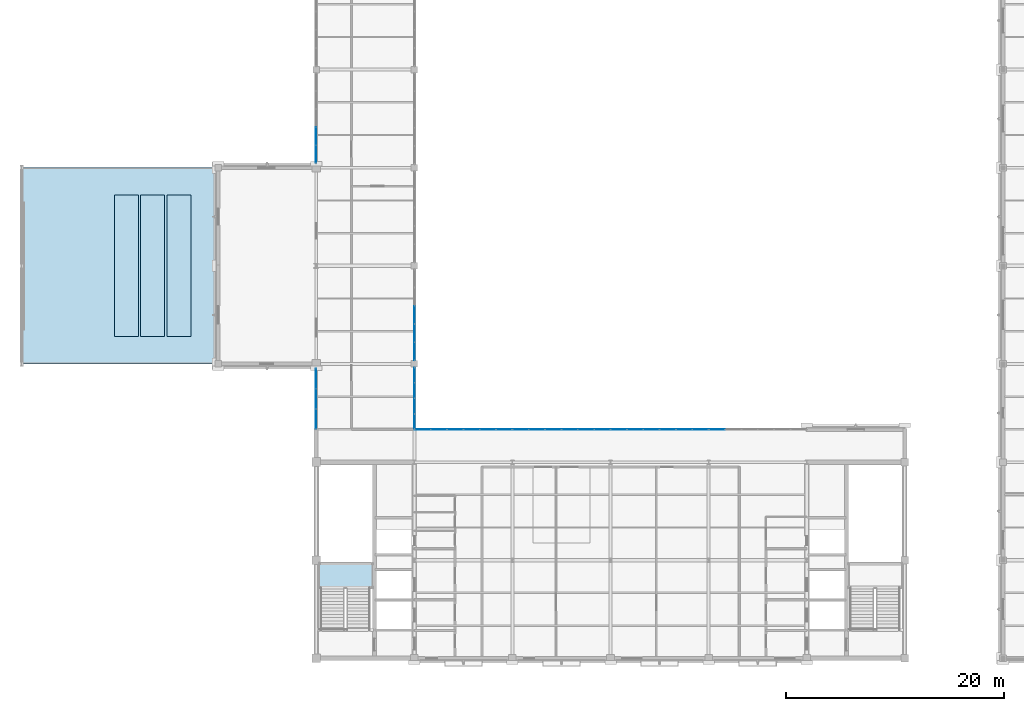
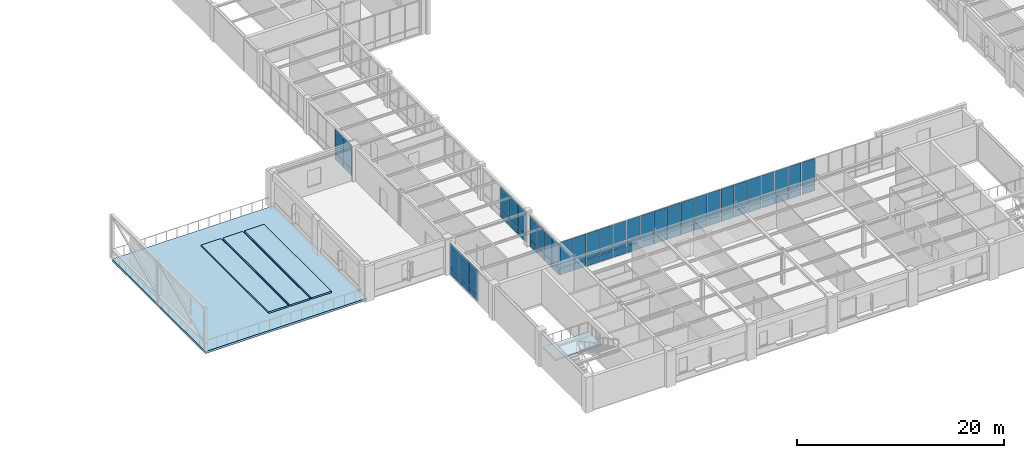
# One storey, part 72 of 97: 62 plates, 5 slabs, 9 elements without a shape of their own.
"""IFC4 building model written with IfcOpenShell, lengths in metres."""

import ifcopenshell
import ifcopenshell.guid

model = None  # the IFC model being written
_history = None  # IfcOwnerHistory: only IFC2X3 demands one
_inside = {}  # id of a spatial element -> (the spatial element, [elements in it])
_under = {}  # id of a project, library or spatial element -> (it, [spatial elements below it])
_declared = {}  # id of a project -> (the project, [libraries it declares])
_typed = {}  # id of a type object -> (the type object, [elements of that type])
_made_of = {}  # id of a material, layer set ... -> (it, [elements and type objects made of it])


def new_model(schema):
    """Start an empty IFC model of exactly this schema.

    Asked for "IFC4X3", IfcOpenShell would pick the latest addendum, in which some entities
    have other attributes; the version numbers below select the first issue.
    IFC2X3 requires an IfcOwnerHistory on every rooted entity: one is made here for all.
    """
    global model, _history
    if schema == "IFC4X3":
        model = ifcopenshell.file(schema_version=(4, 3, 0, 0))
    else:
        model = ifcopenshell.file(schema=schema)
    _inside.clear()
    _under.clear()
    _declared.clear()
    _typed.clear()
    _made_of.clear()
    _history = None
    if model.schema == "IFC2X3":
        org = make("IfcOrganization", Name="unknown")
        user = make(
            "IfcPersonAndOrganization",
            ThePerson=make("IfcPerson", FamilyName="unknown"),
            TheOrganization=org,
        )
        app = make(
            "IfcApplication",
            ApplicationDeveloper=org,
            Version="unknown",
            ApplicationFullName="unknown",
            ApplicationIdentifier="unknown",
        )
        _history = make(
            "IfcOwnerHistory",
            OwningUser=user,
            OwningApplication=app,
            ChangeAction="ADDED",
            CreationDate=0,
        )
    return model


def make(cls, **values):
    """One entity of the class cls with the attributes given. An attribute that is None is left unset."""
    return model.create_entity(
        cls, **{name: value for name, value in values.items() if value is not None}
    )


def rooted(cls, **values):
    """An entity with a GlobalId (a new one), such as an element, a storey or a relation."""
    return make(cls, GlobalId=ifcopenshell.guid.new(), OwnerHistory=_history, **values)


def si_unit(unit_type, name, prefix=None):
    """IfcSIUnit, for example si_unit("LENGTHUNIT", "METRE", prefix="MILLI")."""
    return make("IfcSIUnit", UnitType=unit_type, Prefix=prefix, Name=name)


def assignment(units):
    """IfcUnitAssignment: the units of a project."""
    return None if units is None else make("IfcUnitAssignment", Units=units)


def point(xyz):
    """IfcCartesianPoint."""
    return None if xyz is None else make("IfcCartesianPoint", Coordinates=xyz)


def direction(xyz):
    """IfcDirection."""
    return None if xyz is None else make("IfcDirection", DirectionRatios=xyz)


def frame(location, z_axis=None, x_axis=None):
    """IfcAxis2Placement3D, a coordinate frame: its origin and axes. An axis left out is left unset."""
    return make(
        "IfcAxis2Placement3D",
        Location=point(location),
        Axis=direction(z_axis),
        RefDirection=direction(x_axis),
    )


def frame_2d(location, x_axis=None):
    """IfcAxis2Placement2D, a coordinate frame in the plane: its origin and x axis."""
    return make(
        "IfcAxis2Placement2D", Location=point(location), RefDirection=direction(x_axis)
    )


def origin():
    """The frame at (0, 0, 0) with its axes left unset."""
    return frame((0.0, 0.0, 0.0))


def origin_2d():
    """The frame at (0, 0) in the plane with its x axis left unset."""
    return frame_2d((0.0, 0.0))


def place(relative_to, where):
    """IfcLocalPlacement: puts the frame where relative to a parent placement (None: the world)."""
    return make(
        "IfcLocalPlacement", PlacementRelTo=relative_to, RelativePlacement=where
    )


def context(
    kind, dimensions, precision=None, world=None, true_north=None, identifier=None
):
    """IfcGeometricRepresentationContext, for example the 3D "Model" context."""
    return make(
        "IfcGeometricRepresentationContext",
        ContextIdentifier=identifier,
        ContextType=kind,
        CoordinateSpaceDimension=dimensions,
        Precision=precision,
        WorldCoordinateSystem=world,
        TrueNorth=true_north,
    )


def subcontext(parent, identifier, kind, view, scale=None):
    """IfcGeometricRepresentationSubContext, for example "Body" below "Model"."""
    return make(
        "IfcGeometricRepresentationSubContext",
        ContextIdentifier=identifier,
        ContextType=kind,
        ParentContext=parent,
        TargetScale=scale,
        TargetView=view,
    )


def project(units=None, contexts=None):
    """IfcProject with its units and contexts."""
    return rooted(
        "IfcProject",
        Name="project",
        RepresentationContexts=contexts,
        UnitsInContext=assignment(units),
    )


def spatial(cls, under=None, at=None, **own):
    """A site, building, storey or space (cls), placed at a placement, below another one or the project."""
    s = rooted(cls, ObjectPlacement=at, **own)
    if under is not None:
        _under.setdefault(under.id(), (under, []))[1].append(s)
    return s


def polyline(points):
    """IfcPolyline through the points."""
    return make("IfcPolyline", Points=[point(p) for p in points])


def profile(cls, at=None, kind="AREA", **sizes):
    """A parametric profile (cls). Its sizes go by their IFC names, for example OverallWidth=200.0."""
    return make(cls, ProfileType=kind, Position=at, **sizes)


def rectangle(**sizes):
    """IfcRectangleProfileDef."""
    return profile("IfcRectangleProfileDef", **sizes)


def outline(outer, holes=None, kind="AREA"):
    """IfcArbitraryClosedProfileDef: a profile drawn as a closed curve; with holes, ...WithVoids."""
    if holes is None:
        return make("IfcArbitraryClosedProfileDef", ProfileType=kind, OuterCurve=outer)
    return make(
        "IfcArbitraryProfileDefWithVoids",
        ProfileType=kind,
        OuterCurve=outer,
        InnerCurves=holes,
    )


def extrude(swept, where, along, depth):
    """IfcExtrudedAreaSolid: the profile swept, set in the frame where, extruded along a direction by depth."""
    return make(
        "IfcExtrudedAreaSolid",
        SweptArea=swept,
        Position=where,
        ExtrudedDirection=direction(along),
        Depth=depth,
    )


def shape(context_of_items, identifier, shape_type, items):
    """IfcShapeRepresentation: the items that make up one representation, for example the "Body"."""
    return make(
        "IfcShapeRepresentation",
        ContextOfItems=context_of_items,
        RepresentationIdentifier=identifier,
        RepresentationType=shape_type,
        Items=items,
    )


def material(Name=None, Category=None):
    """IfcMaterial."""
    return make("IfcMaterial", Name=Name, Category=Category)


def layer(
    of_material, thickness, ventilated=None, Name=None, Category=None, Priority=None
):
    """IfcMaterialLayer: one layer of a wall or slab, of a material (None: an air gap)."""
    return make(
        "IfcMaterialLayer",
        Material=of_material,
        LayerThickness=thickness,
        IsVentilated=ventilated,
        Name=Name,
        Category=Category,
        Priority=Priority,
    )


def layer_set(layers, Name=None):
    """IfcMaterialLayerSet."""
    return make("IfcMaterialLayerSet", MaterialLayers=layers, LayerSetName=Name)


def made_of(thing, what):
    """Note that an element or type object is made of a material, layer set ...; save() writes the relation."""
    if what is not None:
        _made_of.setdefault(what.id(), (what, []))[1].append(thing)
    return thing


def type_object(cls, material=None, **own):
    """A type object (cls), such as IfcWallType, which elements share."""
    return made_of(rooted(cls, **own), material)


def element(
    cls,
    number,
    at=None,
    inside=None,
    cuts=None,
    type_object=None,
    material=None,
    context=None,
    identifier="Body",
    shape_type=None,
    held_by="IfcProductDefinitionShape",
    body=None,
    shapes=None,
    **own,
):
    """One element of the class cls, such as IfcWall. Its Tag is "e" and its number.

    at: its placement. inside: the storey or other place that contains it. cuts: it is an
    opening in that element (IfcRelVoidsElement). A single representation is given by context,
    identifier, shape_type and body (its items); several are given by shapes. held_by: the class
    of the entity that holds the representations. save() writes the other relations.
    """
    e = rooted(cls, Tag="e%d" % number, ObjectPlacement=at, **own)
    if body is not None:
        shapes = [shape(context, identifier, shape_type, body)]
    if shapes is not None:
        e.Representation = make(held_by, Representations=shapes)
    if inside is not None:
        _inside.setdefault(inside.id(), (inside, []))[1].append(e)
    if cuts is not None:
        rooted(
            "IfcRelVoidsElement", RelatingBuildingElement=cuts, RelatedOpeningElement=e
        )
    if type_object is not None:
        _typed.setdefault(type_object.id(), (type_object, []))[1].append(e)
    return made_of(e, material)


def aggregate(whole, parts):
    """IfcRelAggregates: a whole, such as a stair, and the parts it consists of."""
    return rooted("IfcRelAggregates", RelatingObject=whole, RelatedObjects=parts)


def save(model, path):
    """Write the relations noted so far, then the file.

    IfcRelAggregates (storeys below a building ...), IfcRelContainedInSpatialStructure (elements
    in a storey), IfcRelDefinesByType, IfcRelAssociatesMaterial and IfcRelDeclares: one each for
    every whole, place, type object, material and project.
    """
    for whole, parts in _under.values():
        aggregate(whole, parts)
    for where, things in _inside.values():
        rooted(
            "IfcRelContainedInSpatialStructure",
            RelatedElements=things,
            RelatingStructure=where,
        )
    for kind, things in _typed.values():
        rooted("IfcRelDefinesByType", RelatedObjects=things, RelatingType=kind)
    for what, things in _made_of.values():
        rooted("IfcRelAssociatesMaterial", RelatedObjects=things, RelatingMaterial=what)
    for by, libraries in _declared.values():
        rooted("IfcRelDeclares", RelatingContext=by, RelatedDefinitions=libraries)
    model.write(path)


model = new_model("IFC4")

# Units and contexts
model_context = context("Model", 3, precision=1e-05, world=origin(), true_north=direction((0.0, 1.0)))
body_context = subcontext(model_context, "Body", "Model", "MODEL_VIEW")
ifc_project = project(units=[si_unit("LENGTHUNIT", "METRE"), si_unit("AREAUNIT", "SQUARE_METRE"), si_unit("VOLUMEUNIT", "CUBIC_METRE"), si_unit("PLANEANGLEUNIT", "RADIAN"), si_unit("MASSUNIT", "GRAM", prefix="KILO")], contexts=[model_context])

# Site, building, storey
site_placement = place(None, origin())
site = spatial("IfcSite", under=ifc_project, at=site_placement, CompositionType="ELEMENT")
building_placement = place(site_placement, origin())
building = spatial("IfcBuilding", under=site, at=building_placement, Name="Lykobir Media Centre", CompositionType="ELEMENT")
storey_placement = place(building_placement, frame((0.0, 0.0, 23.39990234375)))
storey = spatial("IfcBuildingStorey", under=building, at=storey_placement, Name="L05", CompositionType="ELEMENT", Elevation=23.39990234375)

# Curtain wall, plates
ifc_material_1 = material(Name="Anodized Aluminium AW-6060", Category="aluminium")
curtain_wall_type = type_object("IfcCurtainWallType", Name="CW-COURT-B", PredefinedType="NOTDEFINED", material=ifc_material_1)
curtain_wall_1_placement = place(storey_placement, origin())
curtain_wall_1 = element("IfcCurtainWall", 1, at=curtain_wall_1_placement, inside=storey, type_object=curtain_wall_type, Name="Curtain wall CW2-L05-0190", PredefinedType="NOTDEFINED")
ifc_material_2 = material(Name="Low-E Laminated Triple Glazing", Category="glass")
ifc_layer_1 = layer(ifc_material_2, 0.0380859375, Name="Low-E Laminated Triple Glazing")
ifc_layer_set_1 = layer_set([ifc_layer_1], Name="Low-E Laminated Triple Glazing")
plate_type_1 = type_object("IfcPlateType", Name="CWP-GLZ-38", PredefinedType="CURTAIN_PANEL", material=ifc_layer_set_1)
plate_1_placement = place(storey_placement, frame((36.763916015625, 21.0, 0.877685546875), z_axis=(0.0, 0.0, 1.0), x_axis=(1.0, 0.0, 0.0)))
plate_1 = element("IfcPlate", 2, at=plate_1_placement, type_object=plate_type_1, Name="CW2-L05-0190 panel 1.2", PredefinedType="CURTAIN_PANEL", context=body_context, shape_type="SweptSolid", body=[
    extrude(rectangle(XDim=1.41748046875, YDim=0.0380859375, at=origin_2d()), origin(), (0.0, 0.0, 1.0), 3.007568359375),
])
plate_2_placement = place(storey_placement, frame((38.25, 21.0, 0.877685546875), z_axis=(0.0, 0.0, 1.0), x_axis=(1.0, 0.0, 0.0)))
plate_2 = element("IfcPlate", 3, at=plate_2_placement, type_object=plate_type_1, Name="CW2-L05-0190 panel 2.2", PredefinedType="CURTAIN_PANEL", context=body_context, shape_type="SweptSolid", body=[
    extrude(rectangle(XDim=1.445068359375, YDim=0.0380859375, at=origin_2d()), origin(), (0.0, 0.0, 1.0), 3.007568359375),
])
plate_3_placement = place(storey_placement, frame((39.75, 21.0, 0.877685546875), z_axis=(0.0, 0.0, 1.0), x_axis=(1.0, 0.0, 0.0)))
plate_3 = element("IfcPlate", 4, at=plate_3_placement, type_object=plate_type_1, Name="CW2-L05-0190 panel 3.2", PredefinedType="CURTAIN_PANEL", context=body_context, shape_type="SweptSolid", body=[
    extrude(rectangle(XDim=1.445068359375, YDim=0.0380859375, at=origin_2d()), origin(), (0.0, 0.0, 1.0), 3.007568359375),
])
plate_4_placement = place(storey_placement, frame((41.25, 21.0, 0.877685546875), z_axis=(0.0, 0.0, 1.0), x_axis=(1.0, 0.0, 0.0)))
plate_4 = element("IfcPlate", 5, at=plate_4_placement, type_object=plate_type_1, Name="CW2-L05-0190 panel 4.2", PredefinedType="CURTAIN_PANEL", context=body_context, shape_type="SweptSolid", body=[
    extrude(rectangle(XDim=1.445068359375, YDim=0.0380859375, at=origin_2d()), origin(), (0.0, 0.0, 1.0), 3.007568359375),
])
plate_5_placement = place(storey_placement, frame((42.75, 21.0, 0.877685546875), z_axis=(0.0, 0.0, 1.0), x_axis=(1.0, 0.0, 0.0)))
plate_5 = element("IfcPlate", 6, at=plate_5_placement, type_object=plate_type_1, Name="CW2-L05-0190 panel 5.2", PredefinedType="CURTAIN_PANEL", context=body_context, shape_type="SweptSolid", body=[
    extrude(rectangle(XDim=1.445068359375, YDim=0.0380859375, at=origin_2d()), origin(), (0.0, 0.0, 1.0), 3.007568359375),
])
plate_6_placement = place(storey_placement, frame((44.236083984375, 21.0, 0.877685546875), z_axis=(0.0, 0.0, 1.0), x_axis=(1.0, 0.0, 0.0)))
plate_6 = element("IfcPlate", 7, at=plate_6_placement, type_object=plate_type_1, Name="CW2-L05-0190 panel 6.2", PredefinedType="CURTAIN_PANEL", context=body_context, shape_type="SweptSolid", body=[
    extrude(rectangle(XDim=1.41748046875, YDim=0.0380859375, at=origin_2d()), origin(), (0.0, 0.0, 1.0), 3.007568359375),
])

curtain_wall_2_placement = place(storey_placement, origin())
curtain_wall_2 = element("IfcCurtainWall", 8, at=curtain_wall_2_placement, inside=storey, type_object=curtain_wall_type, Name="Curtain wall CW2-L05-0191", PredefinedType="NOTDEFINED")
plate_7_placement = place(storey_placement, frame((45.763916015625, 21.0, 0.877685546875), z_axis=(0.0, 0.0, 1.0), x_axis=(1.0, 0.0, 0.0)))
plate_7 = element("IfcPlate", 9, at=plate_7_placement, type_object=plate_type_1, Name="CW2-L05-0191 panel 1.2", PredefinedType="CURTAIN_PANEL", context=body_context, shape_type="SweptSolid", body=[
    extrude(rectangle(XDim=1.41748046875, YDim=0.0380859375, at=origin_2d()), origin(), (0.0, 0.0, 1.0), 3.007568359375),
])
plate_8_placement = place(storey_placement, frame((47.25, 21.0, 0.877685546875), z_axis=(0.0, 0.0, 1.0), x_axis=(1.0, 0.0, 0.0)))
plate_8 = element("IfcPlate", 10, at=plate_8_placement, type_object=plate_type_1, Name="CW2-L05-0191 panel 2.2", PredefinedType="CURTAIN_PANEL", context=body_context, shape_type="SweptSolid", body=[
    extrude(rectangle(XDim=1.445068359375, YDim=0.0380859375, at=origin_2d()), origin(), (0.0, 0.0, 1.0), 3.007568359375),
])
plate_9_placement = place(storey_placement, frame((48.75, 21.0, 0.877685546875), z_axis=(0.0, 0.0, 1.0), x_axis=(1.0, 0.0, 0.0)))
plate_9 = element("IfcPlate", 11, at=plate_9_placement, type_object=plate_type_1, Name="CW2-L05-0191 panel 3.2", PredefinedType="CURTAIN_PANEL", context=body_context, shape_type="SweptSolid", body=[
    extrude(rectangle(XDim=1.445068359375, YDim=0.0380859375, at=origin_2d()), origin(), (0.0, 0.0, 1.0), 3.007568359375),
])
plate_10_placement = place(storey_placement, frame((50.25, 21.0, 0.877685546875), z_axis=(0.0, 0.0, 1.0), x_axis=(1.0, 0.0, 0.0)))
plate_10 = element("IfcPlate", 12, at=plate_10_placement, type_object=plate_type_1, Name="CW2-L05-0191 panel 4.2", PredefinedType="CURTAIN_PANEL", context=body_context, shape_type="SweptSolid", body=[
    extrude(rectangle(XDim=1.445068359375, YDim=0.0380859375, at=origin_2d()), origin(), (0.0, 0.0, 1.0), 3.007568359375),
])
plate_11_placement = place(storey_placement, frame((51.75, 21.0, 0.877685546875), z_axis=(0.0, 0.0, 1.0), x_axis=(1.0, 0.0, 0.0)))
plate_11 = element("IfcPlate", 13, at=plate_11_placement, type_object=plate_type_1, Name="CW2-L05-0191 panel 5.2", PredefinedType="CURTAIN_PANEL", context=body_context, shape_type="SweptSolid", body=[
    extrude(rectangle(XDim=1.445068359375, YDim=0.0380859375, at=origin_2d()), origin(), (0.0, 0.0, 1.0), 3.007568359375),
])
plate_12_placement = place(storey_placement, frame((53.236083984375, 21.0, 0.877685546875), z_axis=(0.0, 0.0, 1.0), x_axis=(1.0, 0.0, 0.0)))
plate_12 = element("IfcPlate", 14, at=plate_12_placement, type_object=plate_type_1, Name="CW2-L05-0191 panel 6.2", PredefinedType="CURTAIN_PANEL", context=body_context, shape_type="SweptSolid", body=[
    extrude(rectangle(XDim=1.41748046875, YDim=0.0380859375, at=origin_2d()), origin(), (0.0, 0.0, 1.0), 3.007568359375),
])

curtain_wall_3_placement = place(storey_placement, origin())
curtain_wall_3 = element("IfcCurtainWall", 15, at=curtain_wall_3_placement, inside=storey, type_object=curtain_wall_type, Name="Curtain wall CW2-L05-0192", PredefinedType="NOTDEFINED")
plate_13_placement = place(storey_placement, frame((54.763916015625, 21.0, 0.877685546875), z_axis=(0.0, 0.0, 1.0), x_axis=(1.0, 0.0, 0.0)))
plate_13 = element("IfcPlate", 16, at=plate_13_placement, type_object=plate_type_1, Name="CW2-L05-0192 panel 1.2", PredefinedType="CURTAIN_PANEL", context=body_context, shape_type="SweptSolid", body=[
    extrude(rectangle(XDim=1.41748046875, YDim=0.0380859375, at=origin_2d()), origin(), (0.0, 0.0, 1.0), 3.007568359375),
])
plate_14_placement = place(storey_placement, frame((56.25, 21.0, 0.877685546875), z_axis=(0.0, 0.0, 1.0), x_axis=(1.0, 0.0, 0.0)))
plate_14 = element("IfcPlate", 17, at=plate_14_placement, type_object=plate_type_1, Name="CW2-L05-0192 panel 2.2", PredefinedType="CURTAIN_PANEL", context=body_context, shape_type="SweptSolid", body=[
    extrude(rectangle(XDim=1.445068359375, YDim=0.0380859375, at=origin_2d()), origin(), (0.0, 0.0, 1.0), 3.007568359375),
])
plate_15_placement = place(storey_placement, frame((57.75, 21.0, 0.877685546875), z_axis=(0.0, 0.0, 1.0), x_axis=(1.0, 0.0, 0.0)))
plate_15 = element("IfcPlate", 18, at=plate_15_placement, type_object=plate_type_1, Name="CW2-L05-0192 panel 3.2", PredefinedType="CURTAIN_PANEL", context=body_context, shape_type="SweptSolid", body=[
    extrude(rectangle(XDim=1.445068359375, YDim=0.0380859375, at=origin_2d()), origin(), (0.0, 0.0, 1.0), 3.007568359375),
])
plate_16_placement = place(storey_placement, frame((59.25, 21.0, 0.877685546875), z_axis=(0.0, 0.0, 1.0), x_axis=(1.0, 0.0, 0.0)))
plate_16 = element("IfcPlate", 19, at=plate_16_placement, type_object=plate_type_1, Name="CW2-L05-0192 panel 4.2", PredefinedType="CURTAIN_PANEL", context=body_context, shape_type="SweptSolid", body=[
    extrude(rectangle(XDim=1.445068359375, YDim=0.0380859375, at=origin_2d()), origin(), (0.0, 0.0, 1.0), 3.007568359375),
])
plate_17_placement = place(storey_placement, frame((60.75, 21.0, 0.877685546875), z_axis=(0.0, 0.0, 1.0), x_axis=(1.0, 0.0, 0.0)))
plate_17 = element("IfcPlate", 20, at=plate_17_placement, type_object=plate_type_1, Name="CW2-L05-0192 panel 5.2", PredefinedType="CURTAIN_PANEL", context=body_context, shape_type="SweptSolid", body=[
    extrude(rectangle(XDim=1.445068359375, YDim=0.0380859375, at=origin_2d()), origin(), (0.0, 0.0, 1.0), 3.007568359375),
])
plate_18_placement = place(storey_placement, frame((62.236083984375, 21.0, 0.877685546875), z_axis=(0.0, 0.0, 1.0), x_axis=(1.0, 0.0, 0.0)))
plate_18 = element("IfcPlate", 21, at=plate_18_placement, type_object=plate_type_1, Name="CW2-L05-0192 panel 6.2", PredefinedType="CURTAIN_PANEL", context=body_context, shape_type="SweptSolid", body=[
    extrude(rectangle(XDim=1.41748046875, YDim=0.0380859375, at=origin_2d()), origin(), (0.0, 0.0, 1.0), 3.007568359375),
])

# Curtain wall, plate
curtain_wall_4_placement = place(storey_placement, origin())
curtain_wall_4 = element("IfcCurtainWall", 22, at=curtain_wall_4_placement, inside=storey, type_object=curtain_wall_type, Name="Curtain wall CW2-L05-0193", PredefinedType="NOTDEFINED")
plate_19_placement = place(storey_placement, frame((63.763916015625, 21.0, 0.877685546875), z_axis=(0.0, 0.0, 1.0), x_axis=(1.0, 0.0, 0.0)))
plate_19 = element("IfcPlate", 23, at=plate_19_placement, type_object=plate_type_1, Name="CW2-L05-0193 panel 1.2", PredefinedType="CURTAIN_PANEL", context=body_context, shape_type="SweptSolid", body=[
    extrude(rectangle(XDim=1.41748046875, YDim=0.0380859375, at=origin_2d()), origin(), (0.0, 0.0, 1.0), 3.007568359375),
])

# Curtain wall, plates
curtain_wall_5_placement = place(storey_placement, origin())
curtain_wall_5 = element("IfcCurtainWall", 24, at=curtain_wall_5_placement, inside=storey, type_object=curtain_wall_type, Name="Curtain wall CW2-L05-0194", PredefinedType="NOTDEFINED")
plate_20_placement = place(storey_placement, frame((36.0, 25.969482421875, 0.877685546875), z_axis=(0.0, 0.0, 1.0), x_axis=(0.0, -1.0, 0.0)))
plate_20 = element("IfcPlate", 25, at=plate_20_placement, type_object=plate_type_1, Name="CW2-L05-0194 panel 1.2", PredefinedType="CURTAIN_PANEL", context=body_context, shape_type="SweptSolid", body=[
    extrude(rectangle(XDim=1.34130859375, YDim=0.0380859375, at=origin_2d()), origin(), (0.0, 0.0, 1.0), 2.742431640625),
])
plate_21_placement = place(storey_placement, frame((36.0, 24.559326171875, 0.877685546875), z_axis=(0.0, 0.0, 1.0), x_axis=(0.0, -1.0, 0.0)))
plate_21 = element("IfcPlate", 26, at=plate_21_placement, type_object=plate_type_1, Name="CW2-L05-0194 panel 2.2", PredefinedType="CURTAIN_PANEL", context=body_context, shape_type="SweptSolid", body=[
    extrude(rectangle(XDim=1.368896484375, YDim=0.0380859375, at=origin_2d()), origin(), (0.0, 0.0, 1.0), 2.742431640625),
])
plate_22_placement = place(storey_placement, frame((36.0, 23.135498046875, 0.877685546875), z_axis=(0.0, 0.0, 1.0), x_axis=(0.0, -1.0, 0.0)))
plate_22 = element("IfcPlate", 27, at=plate_22_placement, type_object=plate_type_1, Name="CW2-L05-0194 panel 3.2", PredefinedType="CURTAIN_PANEL", context=body_context, shape_type="SweptSolid", body=[
    extrude(rectangle(XDim=1.368896484375, YDim=0.0380859375, at=origin_2d()), origin(), (0.0, 0.0, 1.0), 2.742431640625),
])
plate_23_placement = place(storey_placement, frame((36.0, 21.7255859375, 0.877685546875), z_axis=(0.0, 0.0, 1.0), x_axis=(0.0, -1.0, 0.0)))
plate_23 = element("IfcPlate", 28, at=plate_23_placement, type_object=plate_type_1, Name="CW2-L05-0194 panel 4.2", PredefinedType="CURTAIN_PANEL", context=body_context, shape_type="SweptSolid", body=[
    extrude(rectangle(XDim=1.34130859375, YDim=0.0380859375, at=origin_2d()), origin(), (0.0, 0.0, 1.0), 2.742431640625),
])

curtain_wall_6_placement = place(storey_placement, origin())
curtain_wall_6 = element("IfcCurtainWall", 29, at=curtain_wall_6_placement, inside=storey, type_object=curtain_wall_type, Name="Curtain wall CW2-L05-0195", PredefinedType="NOTDEFINED")
plate_24_placement = place(storey_placement, frame((36.0, 31.5, 0.877685546875), z_axis=(0.0, 0.0, 1.0), x_axis=(0.0, -1.0, 0.0)))
plate_24 = element("IfcPlate", 30, at=plate_24_placement, type_object=plate_type_1, Name="CW2-L05-0195 panel 3.2", PredefinedType="CURTAIN_PANEL", context=body_context, shape_type="SweptSolid", body=[
    extrude(rectangle(XDim=1.623046875, YDim=0.0380859375, at=origin_2d()), origin(), (0.0, 0.0, 1.0), 2.742431640625),
])
plate_25_placement = place(storey_placement, frame((36.0, 29.822021484375, 0.877685546875), z_axis=(0.0, 0.0, 1.0), x_axis=(0.0, -1.0, 0.0)))
plate_25 = element("IfcPlate", 31, at=plate_25_placement, type_object=plate_type_1, Name="CW2-L05-0195 panel 4.2", PredefinedType="CURTAIN_PANEL", context=body_context, shape_type="SweptSolid", body=[
    extrude(rectangle(XDim=1.623046875, YDim=0.0380859375, at=origin_2d()), origin(), (0.0, 0.0, 1.0), 2.742431640625),
])
plate_26_placement = place(storey_placement, frame((36.0, 28.15771484375, 0.877685546875), z_axis=(0.0, 0.0, 1.0), x_axis=(0.0, -1.0, 0.0)))
plate_26 = element("IfcPlate", 32, at=plate_26_placement, type_object=plate_type_1, Name="CW2-L05-0195 panel 5.2", PredefinedType="CURTAIN_PANEL", context=body_context, shape_type="SweptSolid", body=[
    extrude(rectangle(XDim=1.595458984375, YDim=0.0380859375, at=origin_2d()), origin(), (0.0, 0.0, 1.0), 2.742431640625),
])

curtain_wall_7_placement = place(storey_placement, origin())
curtain_wall_7 = element("IfcCurtainWall", 33, at=curtain_wall_7_placement, inside=storey, type_object=curtain_wall_type, Name="Curtain wall CW2-L05-0201", PredefinedType="NOTDEFINED")
plate_27_placement = place(storey_placement, frame((27.0, 46.247802734375, 0.877685546875), z_axis=(0.0, 0.0, 1.0), x_axis=(0.0, 1.0, 0.0)))
plate_27 = element("IfcPlate", 34, at=plate_27_placement, type_object=plate_type_1, Name="CW2-L05-0201 panel 1.2", PredefinedType="CURTAIN_PANEL", context=body_context, shape_type="SweptSolid", body=[
    extrude(rectangle(XDim=1.575439453125, YDim=0.0380859375, at=origin_2d()), origin(), (0.0, 0.0, 1.0), 2.780517578125),
])
plate_28_placement = place(storey_placement, frame((27.0, 47.89208984375, 0.877685546875), z_axis=(0.0, 0.0, 1.0), x_axis=(0.0, 1.0, 0.0)))
plate_28 = element("IfcPlate", 35, at=plate_28_placement, type_object=plate_type_1, Name="CW2-L05-0201 panel 2.2", PredefinedType="CURTAIN_PANEL", context=body_context, shape_type="SweptSolid", body=[
    extrude(rectangle(XDim=1.60302734375, YDim=0.0380859375, at=origin_2d()), origin(), (0.0, 0.0, 1.0), 2.780517578125),
])

curtain_wall_8_placement = place(storey_placement, origin())
curtain_wall_8 = element("IfcCurtainWall", 36, at=curtain_wall_8_placement, inside=storey, type_object=curtain_wall_type, Name="Curtain wall CW2-L05-0203", PredefinedType="NOTDEFINED")
plate_29_placement = place(storey_placement, frame((27.0, 21.9462890625, 0.877685546875), z_axis=(0.0, 0.0, 1.0), x_axis=(0.0, 1.0, 0.0)))
plate_29 = element("IfcPlate", 37, at=plate_29_placement, type_object=plate_type_1, Name="CW2-L05-0203 panel 1.2", PredefinedType="CURTAIN_PANEL", context=body_context, shape_type="SweptSolid", body=[
    extrude(rectangle(XDim=1.782470703125, YDim=0.0380859375, at=origin_2d()), origin(), (0.0, 0.0, 1.0), 2.782470703125),
])
plate_30_placement = place(storey_placement, frame((27.0, 23.797607421875, 0.877685546875), z_axis=(0.0, 0.0, 1.0), x_axis=(0.0, 1.0, 0.0)))
plate_30 = element("IfcPlate", 38, at=plate_30_placement, type_object=plate_type_1, Name="CW2-L05-0203 panel 2.2", PredefinedType="CURTAIN_PANEL", context=body_context, shape_type="SweptSolid", body=[
    extrude(rectangle(XDim=1.81005859375, YDim=0.0380859375, at=origin_2d()), origin(), (0.0, 0.0, 1.0), 2.782470703125),
])
plate_31_placement = place(storey_placement, frame((27.0, 25.648681640625, 0.877685546875), z_axis=(0.0, 0.0, 1.0), x_axis=(0.0, 1.0, 0.0)))
plate_31 = element("IfcPlate", 39, at=plate_31_placement, type_object=plate_type_1, Name="CW2-L05-0203 panel 3.2", PredefinedType="CURTAIN_PANEL", context=body_context, shape_type="SweptSolid", body=[
    extrude(rectangle(XDim=1.782470703125, YDim=0.0380859375, at=origin_2d()), origin(), (0.0, 0.0, 1.0), 2.782470703125),
])

# Plate
ifc_material_3 = material(Name="Pre-Weathered Titanium-Zinc", Category="metal")
ifc_layer_2 = layer(ifc_material_3, 0.052001953125, Name="Pre-Weathered Titanium-Zinc")
ifc_layer_set_2 = layer_set([ifc_layer_2], Name="Pre-Weathered Titanium-Zinc")
plate_type_2 = type_object("IfcPlateType", Name="CWP-SPN-52", PredefinedType="CURTAIN_PANEL", material=ifc_layer_set_2)
plate_32_placement = place(storey_placement, frame((36.763916015625, 21.0, 0.05517578125), z_axis=(0.0, 0.0, 1.0), x_axis=(1.0, 0.0, 0.0)))
plate_32 = element("IfcPlate", 40, at=plate_32_placement, type_object=plate_type_2, Name="CW2-L05-0190 panel 1.1", PredefinedType="CURTAIN_PANEL", context=body_context, shape_type="SweptSolid", body=[
    extrude(rectangle(XDim=1.41748046875, YDim=0.052001953125, at=origin_2d()), origin(), (0.0, 0.0, 1.0), 0.767578125),
])

plate_33_placement = place(storey_placement, frame((38.25, 21.0, 0.05517578125), z_axis=(0.0, 0.0, 1.0), x_axis=(1.0, 0.0, 0.0)))
plate_33 = element("IfcPlate", 41, at=plate_33_placement, type_object=plate_type_2, Name="CW2-L05-0190 panel 2.1", PredefinedType="CURTAIN_PANEL", context=body_context, shape_type="SweptSolid", body=[
    extrude(rectangle(XDim=1.445068359375, YDim=0.052001953125, at=origin_2d()), origin(), (0.0, 0.0, 1.0), 0.767578125),
])

plate_34_placement = place(storey_placement, frame((39.75, 21.0, 0.05517578125), z_axis=(0.0, 0.0, 1.0), x_axis=(1.0, 0.0, 0.0)))
plate_34 = element("IfcPlate", 42, at=plate_34_placement, type_object=plate_type_2, Name="CW2-L05-0190 panel 3.1", PredefinedType="CURTAIN_PANEL", context=body_context, shape_type="SweptSolid", body=[
    extrude(rectangle(XDim=1.445068359375, YDim=0.052001953125, at=origin_2d()), origin(), (0.0, 0.0, 1.0), 0.767578125),
])

plate_35_placement = place(storey_placement, frame((41.25, 21.0, 0.05517578125), z_axis=(0.0, 0.0, 1.0), x_axis=(1.0, 0.0, 0.0)))
plate_35 = element("IfcPlate", 43, at=plate_35_placement, type_object=plate_type_2, Name="CW2-L05-0190 panel 4.1", PredefinedType="CURTAIN_PANEL", context=body_context, shape_type="SweptSolid", body=[
    extrude(rectangle(XDim=1.445068359375, YDim=0.052001953125, at=origin_2d()), origin(), (0.0, 0.0, 1.0), 0.767578125),
])

plate_36_placement = place(storey_placement, frame((42.75, 21.0, 0.05517578125), z_axis=(0.0, 0.0, 1.0), x_axis=(1.0, 0.0, 0.0)))
plate_36 = element("IfcPlate", 44, at=plate_36_placement, type_object=plate_type_2, Name="CW2-L05-0190 panel 5.1", PredefinedType="CURTAIN_PANEL", context=body_context, shape_type="SweptSolid", body=[
    extrude(rectangle(XDim=1.445068359375, YDim=0.052001953125, at=origin_2d()), origin(), (0.0, 0.0, 1.0), 0.767578125),
])

plate_37_placement = place(storey_placement, frame((44.236083984375, 21.0, 0.05517578125), z_axis=(0.0, 0.0, 1.0), x_axis=(1.0, 0.0, 0.0)))
plate_37 = element("IfcPlate", 45, at=plate_37_placement, type_object=plate_type_2, Name="CW2-L05-0190 panel 6.1", PredefinedType="CURTAIN_PANEL", context=body_context, shape_type="SweptSolid", body=[
    extrude(rectangle(XDim=1.41748046875, YDim=0.052001953125, at=origin_2d()), origin(), (0.0, 0.0, 1.0), 0.767578125),
])

aggregate(curtain_wall_1, [plate_32, plate_1, plate_33, plate_2, plate_34, plate_3, plate_35, plate_4, plate_36, plate_5, plate_37, plate_6])

plate_38_placement = place(storey_placement, frame((45.763916015625, 21.0, 0.05517578125), z_axis=(0.0, 0.0, 1.0), x_axis=(1.0, 0.0, 0.0)))
plate_38 = element("IfcPlate", 46, at=plate_38_placement, type_object=plate_type_2, Name="CW2-L05-0191 panel 1.1", PredefinedType="CURTAIN_PANEL", context=body_context, shape_type="SweptSolid", body=[
    extrude(rectangle(XDim=1.41748046875, YDim=0.052001953125, at=origin_2d()), origin(), (0.0, 0.0, 1.0), 0.767578125),
])

plate_39_placement = place(storey_placement, frame((47.25, 21.0, 0.05517578125), z_axis=(0.0, 0.0, 1.0), x_axis=(1.0, 0.0, 0.0)))
plate_39 = element("IfcPlate", 47, at=plate_39_placement, type_object=plate_type_2, Name="CW2-L05-0191 panel 2.1", PredefinedType="CURTAIN_PANEL", context=body_context, shape_type="SweptSolid", body=[
    extrude(rectangle(XDim=1.445068359375, YDim=0.052001953125, at=origin_2d()), origin(), (0.0, 0.0, 1.0), 0.767578125),
])

plate_40_placement = place(storey_placement, frame((48.75, 21.0, 0.05517578125), z_axis=(0.0, 0.0, 1.0), x_axis=(1.0, 0.0, 0.0)))
plate_40 = element("IfcPlate", 48, at=plate_40_placement, type_object=plate_type_2, Name="CW2-L05-0191 panel 3.1", PredefinedType="CURTAIN_PANEL", context=body_context, shape_type="SweptSolid", body=[
    extrude(rectangle(XDim=1.445068359375, YDim=0.052001953125, at=origin_2d()), origin(), (0.0, 0.0, 1.0), 0.767578125),
])

plate_41_placement = place(storey_placement, frame((50.25, 21.0, 0.05517578125), z_axis=(0.0, 0.0, 1.0), x_axis=(1.0, 0.0, 0.0)))
plate_41 = element("IfcPlate", 49, at=plate_41_placement, type_object=plate_type_2, Name="CW2-L05-0191 panel 4.1", PredefinedType="CURTAIN_PANEL", context=body_context, shape_type="SweptSolid", body=[
    extrude(rectangle(XDim=1.445068359375, YDim=0.052001953125, at=origin_2d()), origin(), (0.0, 0.0, 1.0), 0.767578125),
])

plate_42_placement = place(storey_placement, frame((51.75, 21.0, 0.05517578125), z_axis=(0.0, 0.0, 1.0), x_axis=(1.0, 0.0, 0.0)))
plate_42 = element("IfcPlate", 50, at=plate_42_placement, type_object=plate_type_2, Name="CW2-L05-0191 panel 5.1", PredefinedType="CURTAIN_PANEL", context=body_context, shape_type="SweptSolid", body=[
    extrude(rectangle(XDim=1.445068359375, YDim=0.052001953125, at=origin_2d()), origin(), (0.0, 0.0, 1.0), 0.767578125),
])

plate_43_placement = place(storey_placement, frame((53.236083984375, 21.0, 0.05517578125), z_axis=(0.0, 0.0, 1.0), x_axis=(1.0, 0.0, 0.0)))
plate_43 = element("IfcPlate", 51, at=plate_43_placement, type_object=plate_type_2, Name="CW2-L05-0191 panel 6.1", PredefinedType="CURTAIN_PANEL", context=body_context, shape_type="SweptSolid", body=[
    extrude(rectangle(XDim=1.41748046875, YDim=0.052001953125, at=origin_2d()), origin(), (0.0, 0.0, 1.0), 0.767578125),
])

aggregate(curtain_wall_2, [plate_38, plate_7, plate_39, plate_8, plate_40, plate_9, plate_41, plate_10, plate_42, plate_11, plate_43, plate_12])

plate_44_placement = place(storey_placement, frame((54.763916015625, 21.0, 0.05517578125), z_axis=(0.0, 0.0, 1.0), x_axis=(1.0, 0.0, 0.0)))
plate_44 = element("IfcPlate", 52, at=plate_44_placement, type_object=plate_type_2, Name="CW2-L05-0192 panel 1.1", PredefinedType="CURTAIN_PANEL", context=body_context, shape_type="SweptSolid", body=[
    extrude(rectangle(XDim=1.41748046875, YDim=0.052001953125, at=origin_2d()), origin(), (0.0, 0.0, 1.0), 0.767578125),
])

plate_45_placement = place(storey_placement, frame((56.25, 21.0, 0.05517578125), z_axis=(0.0, 0.0, 1.0), x_axis=(1.0, 0.0, 0.0)))
plate_45 = element("IfcPlate", 53, at=plate_45_placement, type_object=plate_type_2, Name="CW2-L05-0192 panel 2.1", PredefinedType="CURTAIN_PANEL", context=body_context, shape_type="SweptSolid", body=[
    extrude(rectangle(XDim=1.445068359375, YDim=0.052001953125, at=origin_2d()), origin(), (0.0, 0.0, 1.0), 0.767578125),
])

plate_46_placement = place(storey_placement, frame((57.75, 21.0, 0.05517578125), z_axis=(0.0, 0.0, 1.0), x_axis=(1.0, 0.0, 0.0)))
plate_46 = element("IfcPlate", 54, at=plate_46_placement, type_object=plate_type_2, Name="CW2-L05-0192 panel 3.1", PredefinedType="CURTAIN_PANEL", context=body_context, shape_type="SweptSolid", body=[
    extrude(rectangle(XDim=1.445068359375, YDim=0.052001953125, at=origin_2d()), origin(), (0.0, 0.0, 1.0), 0.767578125),
])

plate_47_placement = place(storey_placement, frame((59.25, 21.0, 0.05517578125), z_axis=(0.0, 0.0, 1.0), x_axis=(1.0, 0.0, 0.0)))
plate_47 = element("IfcPlate", 55, at=plate_47_placement, type_object=plate_type_2, Name="CW2-L05-0192 panel 4.1", PredefinedType="CURTAIN_PANEL", context=body_context, shape_type="SweptSolid", body=[
    extrude(rectangle(XDim=1.445068359375, YDim=0.052001953125, at=origin_2d()), origin(), (0.0, 0.0, 1.0), 0.767578125),
])

plate_48_placement = place(storey_placement, frame((60.75, 21.0, 0.05517578125), z_axis=(0.0, 0.0, 1.0), x_axis=(1.0, 0.0, 0.0)))
plate_48 = element("IfcPlate", 56, at=plate_48_placement, type_object=plate_type_2, Name="CW2-L05-0192 panel 5.1", PredefinedType="CURTAIN_PANEL", context=body_context, shape_type="SweptSolid", body=[
    extrude(rectangle(XDim=1.445068359375, YDim=0.052001953125, at=origin_2d()), origin(), (0.0, 0.0, 1.0), 0.767578125),
])

plate_49_placement = place(storey_placement, frame((62.236083984375, 21.0, 0.05517578125), z_axis=(0.0, 0.0, 1.0), x_axis=(1.0, 0.0, 0.0)))
plate_49 = element("IfcPlate", 57, at=plate_49_placement, type_object=plate_type_2, Name="CW2-L05-0192 panel 6.1", PredefinedType="CURTAIN_PANEL", context=body_context, shape_type="SweptSolid", body=[
    extrude(rectangle(XDim=1.41748046875, YDim=0.052001953125, at=origin_2d()), origin(), (0.0, 0.0, 1.0), 0.767578125),
])

aggregate(curtain_wall_3, [plate_44, plate_13, plate_45, plate_14, plate_46, plate_15, plate_47, plate_16, plate_48, plate_17, plate_49, plate_18])

plate_50_placement = place(storey_placement, frame((63.763916015625, 21.0, 0.05517578125), z_axis=(0.0, 0.0, 1.0), x_axis=(1.0, 0.0, 0.0)))
plate_50 = element("IfcPlate", 58, at=plate_50_placement, type_object=plate_type_2, Name="CW2-L05-0193 panel 1.1", PredefinedType="CURTAIN_PANEL", context=body_context, shape_type="SweptSolid", body=[
    extrude(rectangle(XDim=1.41748046875, YDim=0.052001953125, at=origin_2d()), origin(), (0.0, 0.0, 1.0), 0.767578125),
])

aggregate(curtain_wall_4, [plate_50, plate_19])

plate_51_placement = place(storey_placement, frame((36.0, 25.969482421875, 0.05517578125), z_axis=(0.0, 0.0, 1.0), x_axis=(0.0, -1.0, 0.0)))
plate_51 = element("IfcPlate", 59, at=plate_51_placement, type_object=plate_type_2, Name="CW2-L05-0194 panel 1.1", PredefinedType="CURTAIN_PANEL", context=body_context, shape_type="SweptSolid", body=[
    extrude(rectangle(XDim=1.34130859375, YDim=0.052001953125, at=origin_2d()), origin(), (0.0, 0.0, 1.0), 0.767578125),
])

plate_52_placement = place(storey_placement, frame((36.0, 24.559326171875, 0.05517578125), z_axis=(0.0, 0.0, 1.0), x_axis=(0.0, -1.0, 0.0)))
plate_52 = element("IfcPlate", 60, at=plate_52_placement, type_object=plate_type_2, Name="CW2-L05-0194 panel 2.1", PredefinedType="CURTAIN_PANEL", context=body_context, shape_type="SweptSolid", body=[
    extrude(rectangle(XDim=1.368896484375, YDim=0.052001953125, at=origin_2d()), origin(), (0.0, 0.0, 1.0), 0.767578125),
])

plate_53_placement = place(storey_placement, frame((36.0, 23.135498046875, 0.05517578125), z_axis=(0.0, 0.0, 1.0), x_axis=(0.0, -1.0, 0.0)))
plate_53 = element("IfcPlate", 61, at=plate_53_placement, type_object=plate_type_2, Name="CW2-L05-0194 panel 3.1", PredefinedType="CURTAIN_PANEL", context=body_context, shape_type="SweptSolid", body=[
    extrude(rectangle(XDim=1.368896484375, YDim=0.052001953125, at=origin_2d()), origin(), (0.0, 0.0, 1.0), 0.767578125),
])

plate_54_placement = place(storey_placement, frame((36.0, 21.7255859375, 0.05517578125), z_axis=(0.0, 0.0, 1.0), x_axis=(0.0, -1.0, 0.0)))
plate_54 = element("IfcPlate", 62, at=plate_54_placement, type_object=plate_type_2, Name="CW2-L05-0194 panel 4.1", PredefinedType="CURTAIN_PANEL", context=body_context, shape_type="SweptSolid", body=[
    extrude(rectangle(XDim=1.34130859375, YDim=0.052001953125, at=origin_2d()), origin(), (0.0, 0.0, 1.0), 0.767578125),
])

aggregate(curtain_wall_5, [plate_51, plate_20, plate_52, plate_21, plate_53, plate_22, plate_54, plate_23])

plate_55_placement = place(storey_placement, frame((36.0, 31.5, 0.05517578125), z_axis=(0.0, 0.0, 1.0), x_axis=(0.0, -1.0, 0.0)))
plate_55 = element("IfcPlate", 63, at=plate_55_placement, type_object=plate_type_2, Name="CW2-L05-0195 panel 3.1", PredefinedType="CURTAIN_PANEL", context=body_context, shape_type="SweptSolid", body=[
    extrude(rectangle(XDim=1.623046875, YDim=0.052001953125, at=origin_2d()), origin(), (0.0, 0.0, 1.0), 0.767578125),
])

plate_56_placement = place(storey_placement, frame((36.0, 29.822021484375, 0.05517578125), z_axis=(0.0, 0.0, 1.0), x_axis=(0.0, -1.0, 0.0)))
plate_56 = element("IfcPlate", 64, at=plate_56_placement, type_object=plate_type_2, Name="CW2-L05-0195 panel 4.1", PredefinedType="CURTAIN_PANEL", context=body_context, shape_type="SweptSolid", body=[
    extrude(rectangle(XDim=1.623046875, YDim=0.052001953125, at=origin_2d()), origin(), (0.0, 0.0, 1.0), 0.767578125),
])

plate_57_placement = place(storey_placement, frame((36.0, 28.15771484375, 0.05517578125), z_axis=(0.0, 0.0, 1.0), x_axis=(0.0, -1.0, 0.0)))
plate_57 = element("IfcPlate", 65, at=plate_57_placement, type_object=plate_type_2, Name="CW2-L05-0195 panel 5.1", PredefinedType="CURTAIN_PANEL", context=body_context, shape_type="SweptSolid", body=[
    extrude(rectangle(XDim=1.595458984375, YDim=0.052001953125, at=origin_2d()), origin(), (0.0, 0.0, 1.0), 0.767578125),
])

aggregate(curtain_wall_6, [plate_55, plate_24, plate_56, plate_25, plate_57, plate_26])

plate_58_placement = place(storey_placement, frame((27.0, 46.247802734375, 0.05517578125), z_axis=(0.0, 0.0, 1.0), x_axis=(0.0, 1.0, 0.0)))
plate_58 = element("IfcPlate", 66, at=plate_58_placement, type_object=plate_type_2, Name="CW2-L05-0201 panel 1.1", PredefinedType="CURTAIN_PANEL", context=body_context, shape_type="SweptSolid", body=[
    extrude(rectangle(XDim=1.575439453125, YDim=0.052001953125, at=origin_2d()), origin(), (0.0, 0.0, 1.0), 0.767578125),
])

plate_59_placement = place(storey_placement, frame((27.0, 47.89208984375, 0.05517578125), z_axis=(0.0, 0.0, 1.0), x_axis=(0.0, 1.0, 0.0)))
plate_59 = element("IfcPlate", 67, at=plate_59_placement, type_object=plate_type_2, Name="CW2-L05-0201 panel 2.1", PredefinedType="CURTAIN_PANEL", context=body_context, shape_type="SweptSolid", body=[
    extrude(rectangle(XDim=1.60302734375, YDim=0.052001953125, at=origin_2d()), origin(), (0.0, 0.0, 1.0), 0.767578125),
])

aggregate(curtain_wall_7, [plate_58, plate_27, plate_59, plate_28])

plate_60_placement = place(storey_placement, frame((27.0, 21.9462890625, 0.05517578125), z_axis=(0.0, 0.0, 1.0), x_axis=(0.0, 1.0, 0.0)))
plate_60 = element("IfcPlate", 68, at=plate_60_placement, type_object=plate_type_2, Name="CW2-L05-0203 panel 1.1", PredefinedType="CURTAIN_PANEL", context=body_context, shape_type="SweptSolid", body=[
    extrude(rectangle(XDim=1.782470703125, YDim=0.052001953125, at=origin_2d()), origin(), (0.0, 0.0, 1.0), 0.767578125),
])

plate_61_placement = place(storey_placement, frame((27.0, 23.797607421875, 0.05517578125), z_axis=(0.0, 0.0, 1.0), x_axis=(0.0, 1.0, 0.0)))
plate_61 = element("IfcPlate", 69, at=plate_61_placement, type_object=plate_type_2, Name="CW2-L05-0203 panel 2.1", PredefinedType="CURTAIN_PANEL", context=body_context, shape_type="SweptSolid", body=[
    extrude(rectangle(XDim=1.81005859375, YDim=0.052001953125, at=origin_2d()), origin(), (0.0, 0.0, 1.0), 0.767578125),
])

plate_62_placement = place(storey_placement, frame((27.0, 25.648681640625, 0.05517578125), z_axis=(0.0, 0.0, 1.0), x_axis=(0.0, 1.0, 0.0)))
plate_62 = element("IfcPlate", 70, at=plate_62_placement, type_object=plate_type_2, Name="CW2-L05-0203 panel 3.1", PredefinedType="CURTAIN_PANEL", context=body_context, shape_type="SweptSolid", body=[
    extrude(rectangle(XDim=1.782470703125, YDim=0.052001953125, at=origin_2d()), origin(), (0.0, 0.0, 1.0), 0.767578125),
])

aggregate(curtain_wall_8, [plate_60, plate_29, plate_61, plate_30, plate_62, plate_31])

# Stair, slab
ifc_material_4 = material(Name="Concrete C30/37", Category="concrete")
stair_type = type_object("IfcStairType", Name="ST-HT-420", PredefinedType="HALF_TURN_STAIR", material=ifc_material_4)
stair_placement = place(storey_placement, origin())
stair = element("IfcStair", 71, at=stair_placement, inside=storey, type_object=stair_type, Name="Escape stair ST-1 L05", PredefinedType="HALF_TURN_STAIR")
ifc_layer_3 = layer(ifc_material_4, 0.195068359375, Name="Concrete C30/37")
ifc_layer_set_3 = layer_set([ifc_layer_3], Name="Concrete C30/37")
slab_type_1 = type_object("IfcSlabType", Name="SL-195", PredefinedType="LANDING", material=ifc_layer_set_3)
slab_1_placement = place(storey_placement, frame((0.0, 0.0, 1.905029296875)))
slab_1 = element("IfcSlab", 72, at=slab_1_placement, type_object=slab_type_1, Name="ST-1-L05 landing 1", PredefinedType="LANDING", context=body_context, shape_type="SweptSolid", body=[
    extrude(outline(polyline([(27.1298828125, 6.35009765625), (32.27001953125, 6.35009765625), (32.27001953125, 8.830078125), (27.1298828125, 8.830078125), (27.1298828125, 6.35009765625)])), origin(), (0.0, 0.0, 1.0), 0.195068359375),
])
aggregate(stair, [slab_1])

# Slabs
ifc_material_5 = material(Name="Concrete C35/45", Category="concrete")
ifc_layer_4 = layer(ifc_material_5, 0.18505859375, Name="Concrete C35/45")
ifc_layer_set_4 = layer_set([ifc_layer_4], Name="Concrete C35/45")
slab_type_2 = type_object("IfcSlabType", Name="ST-TIER-180-E", PredefinedType="USERDEFINED", material=ifc_layer_set_4)
slab_2_placement = place(storey_placement, origin())
element("IfcSlab", 73, at=slab_2_placement, inside=storey, type_object=slab_type_2, Name="Rooftop amphitheatre viewing dais 1", ObjectType="SEATING TIER", PredefinedType="USERDEFINED", context=body_context, shape_type="SweptSolid", body=[
    extrude(outline(polyline([(8.5, 29.5), (10.699951171875, 29.5), (10.699951171875, 42.5), (8.5, 42.5), (8.5, 29.5)])), origin(), (0.0, 0.0, 1.0), 0.18505859375),
])
slab_3_placement = place(storey_placement, origin())
element("IfcSlab", 74, at=slab_3_placement, inside=storey, type_object=slab_type_2, Name="Rooftop amphitheatre viewing dais 2", ObjectType="SEATING TIER", PredefinedType="USERDEFINED", context=body_context, shape_type="SweptSolid", body=[
    extrude(outline(polyline([(10.89990234375, 29.5), (13.10009765625, 29.5), (13.10009765625, 42.5), (10.89990234375, 42.5), (10.89990234375, 29.5)])), origin(), (0.0, 0.0, 1.0), 0.18505859375),
])
slab_4_placement = place(storey_placement, origin())
element("IfcSlab", 75, at=slab_4_placement, inside=storey, type_object=slab_type_2, Name="Rooftop amphitheatre viewing dais 3", ObjectType="SEATING TIER", PredefinedType="USERDEFINED", context=body_context, shape_type="SweptSolid", body=[
    extrude(outline(polyline([(13.300048828125, 29.5), (15.5, 29.5), (15.5, 42.5), (13.300048828125, 42.5), (13.300048828125, 29.5)])), origin(), (0.0, 0.0, 1.0), 0.18505859375),
])
ifc_layer_5 = layer(ifc_material_5, 0.25, Name="Concrete C35/45")
ifc_layer_set_5 = layer_set([ifc_layer_5], Name="Concrete C35/45")
slab_type_3 = type_object("IfcSlabType", Name="TS-250", PredefinedType="FLOOR", material=ifc_layer_set_5)
slab_5_placement = place(storey_placement, frame((0.0, 0.0, -0.25)))
element("IfcSlab", 76, at=slab_5_placement, inside=storey, type_object=slab_type_3, Name="L05 Rooftop Screen Terrace", PredefinedType="FLOOR", context=body_context, shape_type="SweptSolid", body=[
    extrude(outline(polyline([(18.0, 27.0), (18.0, 45.0), (0.0, 45.0), (0.0, 27.0), (18.0, 27.0)])), origin(), (0.0, 0.0, 1.0), 0.25),
])

save(model, "model.ifc")
